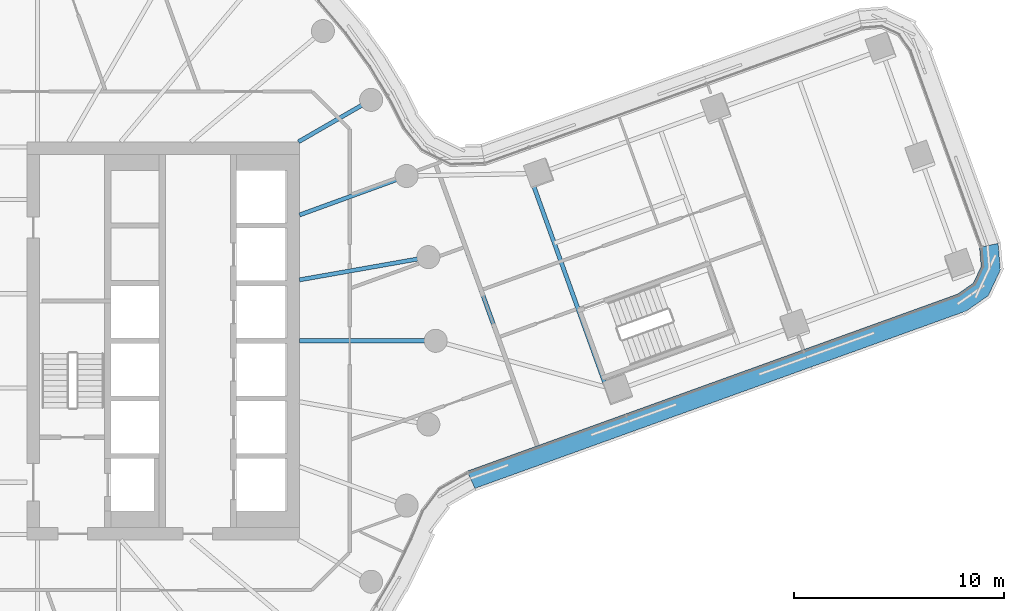
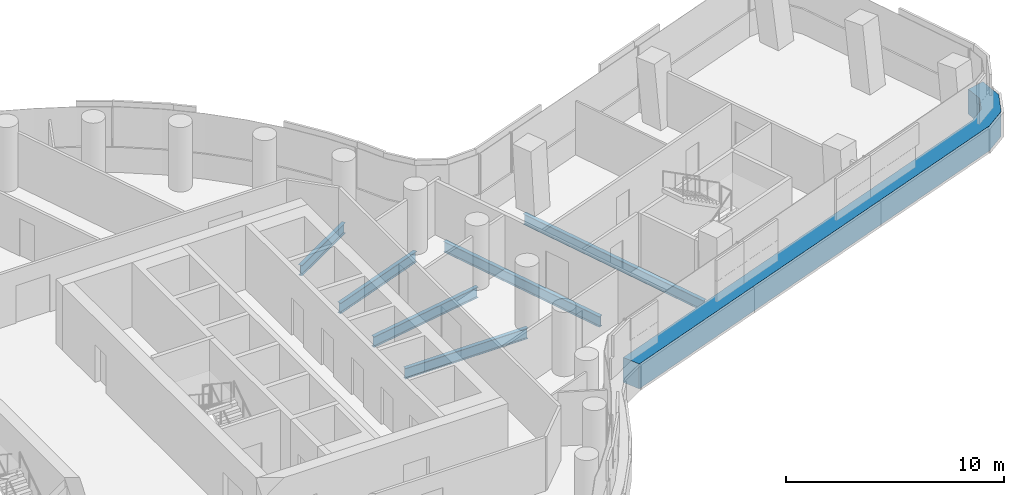
# One storey, part 10 of 30: 6 beams, 1 member, 1 element without a shape of its own.
"""IFC4 building model written with IfcOpenShell, lengths in metres."""

import ifcopenshell
import ifcopenshell.guid

model = None  # the IFC model being written
_history = None  # IfcOwnerHistory: only IFC2X3 demands one
_inside = {}  # id of a spatial element -> (the spatial element, [elements in it])
_under = {}  # id of a project, library or spatial element -> (it, [spatial elements below it])
_declared = {}  # id of a project -> (the project, [libraries it declares])
_typed = {}  # id of a type object -> (the type object, [elements of that type])
_made_of = {}  # id of a material, layer set ... -> (it, [elements and type objects made of it])


def new_model(schema):
    """Start an empty IFC model of exactly this schema.

    Asked for "IFC4X3", IfcOpenShell would pick the latest addendum, in which some entities
    have other attributes; the version numbers below select the first issue.
    IFC2X3 requires an IfcOwnerHistory on every rooted entity: one is made here for all.
    """
    global model, _history
    if schema == "IFC4X3":
        model = ifcopenshell.file(schema_version=(4, 3, 0, 0))
    else:
        model = ifcopenshell.file(schema=schema)
    _inside.clear()
    _under.clear()
    _declared.clear()
    _typed.clear()
    _made_of.clear()
    _history = None
    if model.schema == "IFC2X3":
        org = make("IfcOrganization", Name="unknown")
        user = make(
            "IfcPersonAndOrganization",
            ThePerson=make("IfcPerson", FamilyName="unknown"),
            TheOrganization=org,
        )
        app = make(
            "IfcApplication",
            ApplicationDeveloper=org,
            Version="unknown",
            ApplicationFullName="unknown",
            ApplicationIdentifier="unknown",
        )
        _history = make(
            "IfcOwnerHistory",
            OwningUser=user,
            OwningApplication=app,
            ChangeAction="ADDED",
            CreationDate=0,
        )
    return model


def make(cls, **values):
    """One entity of the class cls with the attributes given. An attribute that is None is left unset."""
    return model.create_entity(
        cls, **{name: value for name, value in values.items() if value is not None}
    )


def rooted(cls, **values):
    """An entity with a GlobalId (a new one), such as an element, a storey or a relation."""
    return make(cls, GlobalId=ifcopenshell.guid.new(), OwnerHistory=_history, **values)


def si_unit(unit_type, name, prefix=None):
    """IfcSIUnit, for example si_unit("LENGTHUNIT", "METRE", prefix="MILLI")."""
    return make("IfcSIUnit", UnitType=unit_type, Prefix=prefix, Name=name)


def assignment(units):
    """IfcUnitAssignment: the units of a project."""
    return None if units is None else make("IfcUnitAssignment", Units=units)


def point(xyz):
    """IfcCartesianPoint."""
    return None if xyz is None else make("IfcCartesianPoint", Coordinates=xyz)


def direction(xyz):
    """IfcDirection."""
    return None if xyz is None else make("IfcDirection", DirectionRatios=xyz)


def frame(location, z_axis=None, x_axis=None):
    """IfcAxis2Placement3D, a coordinate frame: its origin and axes. An axis left out is left unset."""
    return make(
        "IfcAxis2Placement3D",
        Location=point(location),
        Axis=direction(z_axis),
        RefDirection=direction(x_axis),
    )


def frame_2d(location, x_axis=None):
    """IfcAxis2Placement2D, a coordinate frame in the plane: its origin and x axis."""
    return make(
        "IfcAxis2Placement2D", Location=point(location), RefDirection=direction(x_axis)
    )


def origin():
    """The frame at (0, 0, 0) with its axes left unset."""
    return frame((0.0, 0.0, 0.0))


def origin_2d():
    """The frame at (0, 0) in the plane with its x axis left unset."""
    return frame_2d((0.0, 0.0))


def place(relative_to, where):
    """IfcLocalPlacement: puts the frame where relative to a parent placement (None: the world)."""
    return make(
        "IfcLocalPlacement", PlacementRelTo=relative_to, RelativePlacement=where
    )


def context(
    kind, dimensions, precision=None, world=None, true_north=None, identifier=None
):
    """IfcGeometricRepresentationContext, for example the 3D "Model" context."""
    return make(
        "IfcGeometricRepresentationContext",
        ContextIdentifier=identifier,
        ContextType=kind,
        CoordinateSpaceDimension=dimensions,
        Precision=precision,
        WorldCoordinateSystem=world,
        TrueNorth=true_north,
    )


def subcontext(parent, identifier, kind, view, scale=None):
    """IfcGeometricRepresentationSubContext, for example "Body" below "Model"."""
    return make(
        "IfcGeometricRepresentationSubContext",
        ContextIdentifier=identifier,
        ContextType=kind,
        ParentContext=parent,
        TargetScale=scale,
        TargetView=view,
    )


def project(units=None, contexts=None):
    """IfcProject with its units and contexts."""
    return rooted(
        "IfcProject",
        Name="project",
        RepresentationContexts=contexts,
        UnitsInContext=assignment(units),
    )


def spatial(cls, under=None, at=None, **own):
    """A site, building, storey or space (cls), placed at a placement, below another one or the project."""
    s = rooted(cls, ObjectPlacement=at, **own)
    if under is not None:
        _under.setdefault(under.id(), (under, []))[1].append(s)
    return s


def polyline(points):
    """IfcPolyline through the points."""
    return make("IfcPolyline", Points=[point(p) for p in points])


def profile(cls, at=None, kind="AREA", **sizes):
    """A parametric profile (cls). Its sizes go by their IFC names, for example OverallWidth=200.0."""
    return make(cls, ProfileType=kind, Position=at, **sizes)


def i_section(**sizes):
    """IfcIShapeProfileDef."""
    return profile("IfcIShapeProfileDef", **sizes)


def outline(outer, holes=None, kind="AREA"):
    """IfcArbitraryClosedProfileDef: a profile drawn as a closed curve; with holes, ...WithVoids."""
    if holes is None:
        return make("IfcArbitraryClosedProfileDef", ProfileType=kind, OuterCurve=outer)
    return make(
        "IfcArbitraryProfileDefWithVoids",
        ProfileType=kind,
        OuterCurve=outer,
        InnerCurves=holes,
    )


def extrude(swept, where, along, depth):
    """IfcExtrudedAreaSolid: the profile swept, set in the frame where, extruded along a direction by depth."""
    return make(
        "IfcExtrudedAreaSolid",
        SweptArea=swept,
        Position=where,
        ExtrudedDirection=direction(along),
        Depth=depth,
    )


def shape(context_of_items, identifier, shape_type, items):
    """IfcShapeRepresentation: the items that make up one representation, for example the "Body"."""
    return make(
        "IfcShapeRepresentation",
        ContextOfItems=context_of_items,
        RepresentationIdentifier=identifier,
        RepresentationType=shape_type,
        Items=items,
    )


def material(Name=None, Category=None):
    """IfcMaterial."""
    return make("IfcMaterial", Name=Name, Category=Category)


def layer(
    of_material, thickness, ventilated=None, Name=None, Category=None, Priority=None
):
    """IfcMaterialLayer: one layer of a wall or slab, of a material (None: an air gap)."""
    return make(
        "IfcMaterialLayer",
        Material=of_material,
        LayerThickness=thickness,
        IsVentilated=ventilated,
        Name=Name,
        Category=Category,
        Priority=Priority,
    )


def layer_set(layers, Name=None):
    """IfcMaterialLayerSet."""
    return make("IfcMaterialLayerSet", MaterialLayers=layers, LayerSetName=Name)


def material_profile(
    of_material, cross_section, Name=None, Category=None, Priority=None
):
    """IfcMaterialProfile: a cross section and its material."""
    return make(
        "IfcMaterialProfile",
        Name=Name,
        Material=of_material,
        Profile=cross_section,
        Priority=Priority,
        Category=Category,
    )


def profile_set(profiles, Name=None, composite=None):
    """IfcMaterialProfileSet."""
    return make(
        "IfcMaterialProfileSet",
        Name=Name,
        MaterialProfiles=profiles,
        CompositeProfile=composite,
    )


def made_of(thing, what):
    """Note that an element or type object is made of a material, layer set ...; save() writes the relation."""
    if what is not None:
        _made_of.setdefault(what.id(), (what, []))[1].append(thing)
    return thing


def type_object(cls, material=None, **own):
    """A type object (cls), such as IfcWallType, which elements share."""
    return made_of(rooted(cls, **own), material)


def element(
    cls,
    number,
    at=None,
    inside=None,
    cuts=None,
    type_object=None,
    material=None,
    context=None,
    identifier="Body",
    shape_type=None,
    held_by="IfcProductDefinitionShape",
    body=None,
    shapes=None,
    **own,
):
    """One element of the class cls, such as IfcWall. Its Tag is "e" and its number.

    at: its placement. inside: the storey or other place that contains it. cuts: it is an
    opening in that element (IfcRelVoidsElement). A single representation is given by context,
    identifier, shape_type and body (its items); several are given by shapes. held_by: the class
    of the entity that holds the representations. save() writes the other relations.
    """
    e = rooted(cls, Tag="e%d" % number, ObjectPlacement=at, **own)
    if body is not None:
        shapes = [shape(context, identifier, shape_type, body)]
    if shapes is not None:
        e.Representation = make(held_by, Representations=shapes)
    if inside is not None:
        _inside.setdefault(inside.id(), (inside, []))[1].append(e)
    if cuts is not None:
        rooted(
            "IfcRelVoidsElement", RelatingBuildingElement=cuts, RelatedOpeningElement=e
        )
    if type_object is not None:
        _typed.setdefault(type_object.id(), (type_object, []))[1].append(e)
    return made_of(e, material)


def aggregate(whole, parts):
    """IfcRelAggregates: a whole, such as a stair, and the parts it consists of."""
    return rooted("IfcRelAggregates", RelatingObject=whole, RelatedObjects=parts)


def save(model, path):
    """Write the relations noted so far, then the file.

    IfcRelAggregates (storeys below a building ...), IfcRelContainedInSpatialStructure (elements
    in a storey), IfcRelDefinesByType, IfcRelAssociatesMaterial and IfcRelDeclares: one each for
    every whole, place, type object, material and project.
    """
    for whole, parts in _under.values():
        aggregate(whole, parts)
    for where, things in _inside.values():
        rooted(
            "IfcRelContainedInSpatialStructure",
            RelatedElements=things,
            RelatingStructure=where,
        )
    for kind, things in _typed.values():
        rooted("IfcRelDefinesByType", RelatedObjects=things, RelatingType=kind)
    for what, things in _made_of.values():
        rooted("IfcRelAssociatesMaterial", RelatedObjects=things, RelatingMaterial=what)
    for by, libraries in _declared.values():
        rooted("IfcRelDeclares", RelatingContext=by, RelatedDefinitions=libraries)
    model.write(path)


model = new_model("IFC4")

# Units and contexts
model_context = context("Model", 3, precision=1e-05, world=origin(), true_north=direction((0.0, 1.0)))
body_context = subcontext(model_context, "Body", "Model", "MODEL_VIEW")
ifc_project = project(units=[si_unit("LENGTHUNIT", "METRE"), si_unit("AREAUNIT", "SQUARE_METRE"), si_unit("VOLUMEUNIT", "CUBIC_METRE"), si_unit("PLANEANGLEUNIT", "RADIAN"), si_unit("MASSUNIT", "GRAM", prefix="KILO")], contexts=[model_context])

# Site, building, storey
site_placement = place(None, origin())
site = spatial("IfcSite", under=ifc_project, at=site_placement, CompositionType="ELEMENT")
building_placement = place(site_placement, origin())
building = spatial("IfcBuilding", under=site, at=building_placement, Name="Tamarind Cross Interchange Tower", CompositionType="ELEMENT")
storey_placement = place(building_placement, frame((0.0, 0.0, 106.0)))
storey = spatial("IfcBuildingStorey", under=building, at=storey_placement, Name="L25", CompositionType="ELEMENT", Elevation=106.0)

# Beams
ifc_material_1 = material(Name="Steel Q355B", Category="steel")
ifc_material_profile_1 = material_profile(ifc_material_1, i_section(OverallWidth=0.198974609375, OverallDepth=0.595947265625, WebThickness=0.010009765625, FlangeThickness=0.014892578125, FilletRadius=0.012939453125, at=origin_2d()), Name="HN 596x199x10x15")
ifc_profile_set_1 = profile_set([ifc_material_profile_1], Name="Steel Q355B")
beam_type_1 = type_object("IfcBeamType", Name="Composite beam HN 596x199x10x15 Q355B", PredefinedType="BEAM", material=ifc_profile_set_1)
beam_1_placement = place(storey_placement, frame((23.0, 0.0, -0.43798828125), z_axis=(-1.0, 0.0, 0.0), x_axis=(0.0, -1.0, 0.0)))
element("IfcBeam", 1, at=beam_1_placement, inside=storey, type_object=beam_type_1, Name="Beam HH00", PredefinedType="BEAM", context=body_context, shape_type="SweptSolid", body=[
    extrude(i_section(OverallWidth=0.198974609375, OverallDepth=0.595947265625, WebThickness=0.010009765625, FlangeThickness=0.014892578125, FilletRadius=0.012939453125, at=origin_2d()), origin(), (0.0, 0.0, 1.0), 6.5),
])
beam_2_placement = place(storey_placement, frame((22.650634765625, 3.993896484375, -0.43798828125), z_axis=(-0.984809127561, -0.173640382036, 0.0), x_axis=(0.173640382036, -0.984809127561, 0.0)))
element("IfcBeam", 2, at=beam_2_placement, inside=storey, type_object=beam_type_1, Name="Beam HH01", PredefinedType="BEAM", context=body_context, shape_type="SweptSolid", body=[
    extrude(i_section(OverallWidth=0.198974609375, OverallDepth=0.595947265625, WebThickness=0.010009765625, FlangeThickness=0.014892578125, FilletRadius=0.012939453125, at=origin_2d()), origin(), (0.0, 0.0, 1.0), 6.24560546875),
])
beam_3_placement = place(storey_placement, frame((21.613037109375, 7.866455078125, -0.43798828125), z_axis=(-0.939701685589, -0.341995236956, 0.0), x_axis=(0.341995236956, -0.939701685589, 0.0)))
element("IfcBeam", 3, at=beam_3_placement, inside=storey, type_object=beam_type_1, Name="Beam HH02", PredefinedType="BEAM", context=body_context, shape_type="SweptSolid", body=[
    extrude(i_section(OverallWidth=0.198974609375, OverallDepth=0.595947265625, WebThickness=0.010009765625, FlangeThickness=0.014892578125, FilletRadius=0.012939453125, at=origin_2d()), origin(), (0.0, 0.0, 1.0), 5.441162109375),
])
beam_4_placement = place(storey_placement, frame((19.918701171875, 11.5, -0.43798828125), z_axis=(-0.866026010844, -0.49999894854, 0.0), x_axis=(0.49999894854, -0.866026010844, 0.0)))
element("IfcBeam", 4, at=beam_4_placement, inside=storey, type_object=beam_type_1, Name="Beam HH03", PredefinedType="BEAM", context=body_context, shape_type="SweptSolid", body=[
    extrude(i_section(OverallWidth=0.198974609375, OverallDepth=0.595947265625, WebThickness=0.010009765625, FlangeThickness=0.014892578125, FilletRadius=0.012939453125, at=origin_2d()), origin(), (0.0, 0.0, 1.0), 4.0),
])
ifc_material_profile_2 = material_profile(ifc_material_1, i_section(OverallWidth=0.199951171875, OverallDepth=0.60009765625, WebThickness=0.010986328125, FlangeThickness=0.01708984375, FilletRadius=0.012939453125, at=origin_2d()), Name="HN 600x200x11x17")
ifc_profile_set_2 = profile_set([ifc_material_profile_2], Name="Steel Q355B")
beam_type_2 = type_object("IfcBeamType", Name="Composite beam HN 600x200x11x17 Q355B", PredefinedType="BEAM", material=ifc_profile_set_2)
beam_5_placement = place(storey_placement, frame((31.14404296875, -2.210693359375, -0.43994140625), z_axis=(-0.339576922572, 0.94057828683, 0.0), x_axis=(-0.94057828683, -0.339576922572, 0.0)))
element("IfcBeam", 5, at=beam_5_placement, inside=storey, type_object=beam_type_2, Name="Beam E-x298", PredefinedType="BEAM", context=body_context, shape_type="SweptSolid", body=[
    extrude(i_section(OverallWidth=0.199951171875, OverallDepth=0.60009765625, WebThickness=0.010986328125, FlangeThickness=0.01708984375, FilletRadius=0.012939453125, at=origin_2d()), origin(), (0.0, 0.0, 1.0), 10.8369140625),
])
beam_6_placement = place(storey_placement, frame((26.370361328125, -0.914794921875, -0.43994140625), z_axis=(-0.339582991955, 0.940576095579, 0.0), x_axis=(-0.940576095579, -0.339582991955, 0.0)))
element("IfcBeam", 6, at=beam_6_placement, inside=storey, type_object=beam_type_2, Name="Beam E-x258", PredefinedType="BEAM", context=body_context, shape_type="SweptSolid", body=[
    extrude(i_section(OverallWidth=0.199951171875, OverallDepth=0.60009765625, WebThickness=0.010986328125, FlangeThickness=0.01708984375, FilletRadius=0.012939453125, at=origin_2d()), origin(), (0.0, 0.0, 1.0), 9.369140625),
])

# Curtain wall, member
ifc_material_2 = material(Name="Aluminium 6063-T6", Category="aluminium")
ifc_layer = layer(ifc_material_2, 0.159912109375)
ifc_layer_set = layer_set([ifc_layer], Name="Aluminium 6063-T6")
curtain_wall_type = type_object("IfcCurtainWallType", Name="Office curtain wall, 9.0 m bays", PredefinedType="NOTDEFINED", material=ifc_layer_set)
curtain_wall_placement = place(storey_placement, origin())
curtain_wall = element("IfcCurtainWall", 7, at=curtain_wall_placement, inside=storey, type_object=curtain_wall_type, Name="CWS-L25-07", PredefinedType="NOTDEFINED")
ifc_material_3 = material(Name="Aluminium and insulated spandrel panel", Category="aluminium")
member_type = type_object("IfcMemberType", Name="Floor-edge blade transom", PredefinedType="USERDEFINED", material=ifc_material_3)
member_placement = place(storey_placement, origin())
member = element("IfcMember", 8, at=member_placement, type_object=member_type, Name="CWT-L25-07", ObjectType="TRANSOM", PredefinedType="USERDEFINED", context=body_context, shape_type="SweptSolid", body=[
    extrude(outline(polyline([(24.50048828125, -6.220458984375), (47.909912109375, 2.23095703125), (48.6611328125, 2.754150390625), (49.032958984375, 3.545654296875), (48.955322265625, 4.457763671875), (49.84228515625, 4.652099609375), (49.949951171875, 3.381591796875), (49.37353515625, 2.1533203125), (48.3271484375, 1.4248046875), (24.873046875, -7.04296875), (24.50048828125, -6.220458984375)])), origin(), (0.0, 0.0, 1.0), 1.39990234375),
])
aggregate(curtain_wall, [member])

save(model, "model.ifc")
